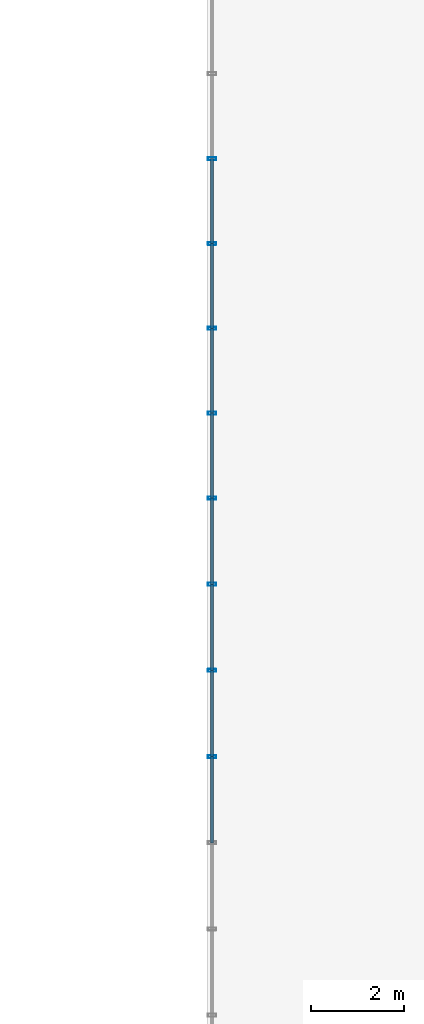
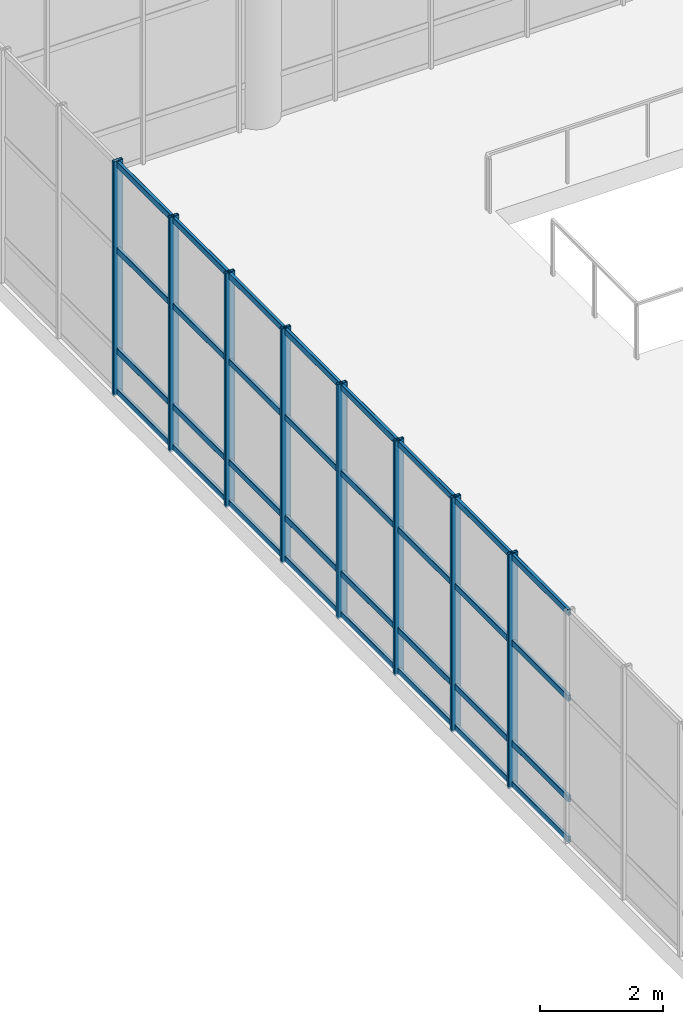
# One storey, part 109 of 176: 40 members, 2 elements without a shape of their own.
"""IFC4 building model written with IfcOpenShell, lengths in metres."""

import ifcopenshell
import ifcopenshell.guid

model = None  # the IFC model being written
_history = None  # IfcOwnerHistory: only IFC2X3 demands one
_inside = {}  # id of a spatial element -> (the spatial element, [elements in it])
_under = {}  # id of a project, library or spatial element -> (it, [spatial elements below it])
_declared = {}  # id of a project -> (the project, [libraries it declares])
_typed = {}  # id of a type object -> (the type object, [elements of that type])
_made_of = {}  # id of a material, layer set ... -> (it, [elements and type objects made of it])


def new_model(schema):
    """Start an empty IFC model of exactly this schema.

    Asked for "IFC4X3", IfcOpenShell would pick the latest addendum, in which some entities
    have other attributes; the version numbers below select the first issue.
    IFC2X3 requires an IfcOwnerHistory on every rooted entity: one is made here for all.
    """
    global model, _history
    if schema == "IFC4X3":
        model = ifcopenshell.file(schema_version=(4, 3, 0, 0))
    else:
        model = ifcopenshell.file(schema=schema)
    _inside.clear()
    _under.clear()
    _declared.clear()
    _typed.clear()
    _made_of.clear()
    _history = None
    if model.schema == "IFC2X3":
        org = make("IfcOrganization", Name="unknown")
        user = make(
            "IfcPersonAndOrganization",
            ThePerson=make("IfcPerson", FamilyName="unknown"),
            TheOrganization=org,
        )
        app = make(
            "IfcApplication",
            ApplicationDeveloper=org,
            Version="unknown",
            ApplicationFullName="unknown",
            ApplicationIdentifier="unknown",
        )
        _history = make(
            "IfcOwnerHistory",
            OwningUser=user,
            OwningApplication=app,
            ChangeAction="ADDED",
            CreationDate=0,
        )
    return model


def make(cls, **values):
    """One entity of the class cls with the attributes given. An attribute that is None is left unset."""
    return model.create_entity(
        cls, **{name: value for name, value in values.items() if value is not None}
    )


def rooted(cls, **values):
    """An entity with a GlobalId (a new one), such as an element, a storey or a relation."""
    return make(cls, GlobalId=ifcopenshell.guid.new(), OwnerHistory=_history, **values)


def si_unit(unit_type, name, prefix=None):
    """IfcSIUnit, for example si_unit("LENGTHUNIT", "METRE", prefix="MILLI")."""
    return make("IfcSIUnit", UnitType=unit_type, Prefix=prefix, Name=name)


def assignment(units):
    """IfcUnitAssignment: the units of a project."""
    return None if units is None else make("IfcUnitAssignment", Units=units)


def point(xyz):
    """IfcCartesianPoint."""
    return None if xyz is None else make("IfcCartesianPoint", Coordinates=xyz)


def direction(xyz):
    """IfcDirection."""
    return None if xyz is None else make("IfcDirection", DirectionRatios=xyz)


def frame(location, z_axis=None, x_axis=None):
    """IfcAxis2Placement3D, a coordinate frame: its origin and axes. An axis left out is left unset."""
    return make(
        "IfcAxis2Placement3D",
        Location=point(location),
        Axis=direction(z_axis),
        RefDirection=direction(x_axis),
    )


def frame_2d(location, x_axis=None):
    """IfcAxis2Placement2D, a coordinate frame in the plane: its origin and x axis."""
    return make(
        "IfcAxis2Placement2D", Location=point(location), RefDirection=direction(x_axis)
    )


def origin():
    """The frame at (0, 0, 0) with its axes left unset."""
    return frame((0.0, 0.0, 0.0))


def origin_2d():
    """The frame at (0, 0) in the plane with its x axis left unset."""
    return frame_2d((0.0, 0.0))


def place(relative_to, where):
    """IfcLocalPlacement: puts the frame where relative to a parent placement (None: the world)."""
    return make(
        "IfcLocalPlacement", PlacementRelTo=relative_to, RelativePlacement=where
    )


def context(
    kind, dimensions, precision=None, world=None, true_north=None, identifier=None
):
    """IfcGeometricRepresentationContext, for example the 3D "Model" context."""
    return make(
        "IfcGeometricRepresentationContext",
        ContextIdentifier=identifier,
        ContextType=kind,
        CoordinateSpaceDimension=dimensions,
        Precision=precision,
        WorldCoordinateSystem=world,
        TrueNorth=true_north,
    )


def subcontext(parent, identifier, kind, view, scale=None):
    """IfcGeometricRepresentationSubContext, for example "Body" below "Model"."""
    return make(
        "IfcGeometricRepresentationSubContext",
        ContextIdentifier=identifier,
        ContextType=kind,
        ParentContext=parent,
        TargetScale=scale,
        TargetView=view,
    )


def project(units=None, contexts=None):
    """IfcProject with its units and contexts."""
    return rooted(
        "IfcProject",
        Name="project",
        RepresentationContexts=contexts,
        UnitsInContext=assignment(units),
    )


def spatial(cls, under=None, at=None, **own):
    """A site, building, storey or space (cls), placed at a placement, below another one or the project."""
    s = rooted(cls, ObjectPlacement=at, **own)
    if under is not None:
        _under.setdefault(under.id(), (under, []))[1].append(s)
    return s


def profile(cls, at=None, kind="AREA", **sizes):
    """A parametric profile (cls). Its sizes go by their IFC names, for example OverallWidth=200.0."""
    return make(cls, ProfileType=kind, Position=at, **sizes)


def hollow_rectangle(**sizes):
    """IfcRectangleHollowProfileDef."""
    return profile("IfcRectangleHollowProfileDef", **sizes)


def extrude(swept, where, along, depth):
    """IfcExtrudedAreaSolid: the profile swept, set in the frame where, extruded along a direction by depth."""
    return make(
        "IfcExtrudedAreaSolid",
        SweptArea=swept,
        Position=where,
        ExtrudedDirection=direction(along),
        Depth=depth,
    )


def shape(context_of_items, identifier, shape_type, items):
    """IfcShapeRepresentation: the items that make up one representation, for example the "Body"."""
    return make(
        "IfcShapeRepresentation",
        ContextOfItems=context_of_items,
        RepresentationIdentifier=identifier,
        RepresentationType=shape_type,
        Items=items,
    )


def material(Name=None, Category=None):
    """IfcMaterial."""
    return make("IfcMaterial", Name=Name, Category=Category)


def layer(
    of_material, thickness, ventilated=None, Name=None, Category=None, Priority=None
):
    """IfcMaterialLayer: one layer of a wall or slab, of a material (None: an air gap)."""
    return make(
        "IfcMaterialLayer",
        Material=of_material,
        LayerThickness=thickness,
        IsVentilated=ventilated,
        Name=Name,
        Category=Category,
        Priority=Priority,
    )


def layer_set(layers, Name=None):
    """IfcMaterialLayerSet."""
    return make("IfcMaterialLayerSet", MaterialLayers=layers, LayerSetName=Name)


def material_profile(
    of_material, cross_section, Name=None, Category=None, Priority=None
):
    """IfcMaterialProfile: a cross section and its material."""
    return make(
        "IfcMaterialProfile",
        Name=Name,
        Material=of_material,
        Profile=cross_section,
        Priority=Priority,
        Category=Category,
    )


def profile_set(profiles, Name=None, composite=None):
    """IfcMaterialProfileSet."""
    return make(
        "IfcMaterialProfileSet",
        Name=Name,
        MaterialProfiles=profiles,
        CompositeProfile=composite,
    )


def made_of(thing, what):
    """Note that an element or type object is made of a material, layer set ...; save() writes the relation."""
    if what is not None:
        _made_of.setdefault(what.id(), (what, []))[1].append(thing)
    return thing


def type_object(cls, material=None, **own):
    """A type object (cls), such as IfcWallType, which elements share."""
    return made_of(rooted(cls, **own), material)


def element(
    cls,
    number,
    at=None,
    inside=None,
    cuts=None,
    type_object=None,
    material=None,
    context=None,
    identifier="Body",
    shape_type=None,
    held_by="IfcProductDefinitionShape",
    body=None,
    shapes=None,
    **own,
):
    """One element of the class cls, such as IfcWall. Its Tag is "e" and its number.

    at: its placement. inside: the storey or other place that contains it. cuts: it is an
    opening in that element (IfcRelVoidsElement). A single representation is given by context,
    identifier, shape_type and body (its items); several are given by shapes. held_by: the class
    of the entity that holds the representations. save() writes the other relations.
    """
    e = rooted(cls, Tag="e%d" % number, ObjectPlacement=at, **own)
    if body is not None:
        shapes = [shape(context, identifier, shape_type, body)]
    if shapes is not None:
        e.Representation = make(held_by, Representations=shapes)
    if inside is not None:
        _inside.setdefault(inside.id(), (inside, []))[1].append(e)
    if cuts is not None:
        rooted(
            "IfcRelVoidsElement", RelatingBuildingElement=cuts, RelatedOpeningElement=e
        )
    if type_object is not None:
        _typed.setdefault(type_object.id(), (type_object, []))[1].append(e)
    return made_of(e, material)


def aggregate(whole, parts):
    """IfcRelAggregates: a whole, such as a stair, and the parts it consists of."""
    return rooted("IfcRelAggregates", RelatingObject=whole, RelatedObjects=parts)


def save(model, path):
    """Write the relations noted so far, then the file.

    IfcRelAggregates (storeys below a building ...), IfcRelContainedInSpatialStructure (elements
    in a storey), IfcRelDefinesByType, IfcRelAssociatesMaterial and IfcRelDeclares: one each for
    every whole, place, type object, material and project.
    """
    for whole, parts in _under.values():
        aggregate(whole, parts)
    for where, things in _inside.values():
        rooted(
            "IfcRelContainedInSpatialStructure",
            RelatedElements=things,
            RelatingStructure=where,
        )
    for kind, things in _typed.values():
        rooted("IfcRelDefinesByType", RelatedObjects=things, RelatingType=kind)
    for what, things in _made_of.values():
        rooted("IfcRelAssociatesMaterial", RelatedObjects=things, RelatingMaterial=what)
    for by, libraries in _declared.values():
        rooted("IfcRelDeclares", RelatingContext=by, RelatedDefinitions=libraries)
    model.write(path)


model = new_model("IFC4")

# Units and contexts
model_context = context("Model", 3, precision=1e-05, world=origin(), true_north=direction((0.0, 1.0)))
body_context = subcontext(model_context, "Body", "Model", "MODEL_VIEW")
ifc_project = project(units=[si_unit("LENGTHUNIT", "METRE"), si_unit("AREAUNIT", "SQUARE_METRE"), si_unit("VOLUMEUNIT", "CUBIC_METRE"), si_unit("PLANEANGLEUNIT", "RADIAN"), si_unit("MASSUNIT", "GRAM", prefix="KILO")], contexts=[model_context])

# Site, building, storey
site_placement = place(None, origin())
site = spatial("IfcSite", under=ifc_project, at=site_placement, CompositionType="ELEMENT")
building_placement = place(site_placement, origin())
building = spatial("IfcBuilding", under=site, at=building_placement, Name="Khorjan Park Terminus", CompositionType="ELEMENT")
storey_placement = place(building_placement, frame((0.0, 0.0, 6.0)))
storey = spatial("IfcBuildingStorey", under=building, at=storey_placement, Name="L01", CompositionType="ELEMENT", Elevation=6.0)

# Curtain wall, members
ifc_material = material(Name="Anodized Bronze Aluminium", Category="aluminium")
ifc_layer = layer(ifc_material, 0.22)
ifc_layer_set = layer_set([ifc_layer], Name="Anodized Bronze Aluminium")
curtain_wall_type = type_object("IfcCurtainWallType", Name="CW-BRG-D", PredefinedType="NOTDEFINED", material=ifc_layer_set)
curtain_wall_1_placement = place(storey_placement, origin())
curtain_wall_1 = element("IfcCurtainWall", 1, at=curtain_wall_1_placement, inside=storey, type_object=curtain_wall_type, Name="Unitized curtain wall CW-D (CW-BRE-W-3)", PredefinedType="NOTDEFINED")
ifc_material_profile_1 = material_profile(ifc_material, hollow_rectangle(XDim=0.065, YDim=0.18, WallThickness=0.004, InnerFilletRadius=0.004, OuterFilletRadius=0.008, at=origin_2d()), Name="ALM 65x180x4")
ifc_profile_set_1 = profile_set([ifc_material_profile_1], Name="Anodized Bronze Aluminium")
member_type_1 = type_object("IfcMemberType", Name="ML-ALM-180", PredefinedType="MULLION", material=ifc_profile_set_1)
member_1_placement = place(storey_placement, frame((98.1, 141.0, -0.035), z_axis=(0.0, 0.0, 1.0), x_axis=(0.0, -1.0, 0.0)))
member_1 = element("IfcMember", 2, at=member_1_placement, type_object=member_type_1, Name="Curtain-wall mullion ML-18 (CW-BRE-W-3-0)", PredefinedType="MULLION", context=body_context, shape_type="SweptSolid", body=[
    extrude(hollow_rectangle(XDim=0.065, YDim=0.18, WallThickness=0.004, InnerFilletRadius=0.004, OuterFilletRadius=0.008, at=origin_2d()), origin(), (0.0, 0.0, 1.0), 4.67),
])
member_2_placement = place(storey_placement, frame((98.1, 139.1429, -0.035), z_axis=(0.0, 0.0, 1.0), x_axis=(0.0, -1.0, 0.0)))
member_2 = element("IfcMember", 3, at=member_2_placement, type_object=member_type_1, Name="Curtain-wall mullion ML-18 (CW-BRE-W-3-1)", PredefinedType="MULLION", context=body_context, shape_type="SweptSolid", body=[
    extrude(hollow_rectangle(XDim=0.065, YDim=0.18, WallThickness=0.004, InnerFilletRadius=0.004, OuterFilletRadius=0.008, at=origin_2d()), origin(), (0.0, 0.0, 1.0), 4.67),
])
member_3_placement = place(storey_placement, frame((98.1, 137.2857, -0.035), z_axis=(0.0, 0.0, 1.0), x_axis=(0.0, -1.0, 0.0)))
member_3 = element("IfcMember", 4, at=member_3_placement, type_object=member_type_1, Name="Curtain-wall mullion ML-18 (CW-BRE-W-3-2)", PredefinedType="MULLION", context=body_context, shape_type="SweptSolid", body=[
    extrude(hollow_rectangle(XDim=0.065, YDim=0.18, WallThickness=0.004, InnerFilletRadius=0.004, OuterFilletRadius=0.008, at=origin_2d()), origin(), (0.0, 0.0, 1.0), 4.67),
])
member_4_placement = place(storey_placement, frame((98.1, 135.4286, -0.035), z_axis=(0.0, 0.0, 1.0), x_axis=(0.0, -1.0, 0.0)))
member_4 = element("IfcMember", 5, at=member_4_placement, type_object=member_type_1, Name="Curtain-wall mullion ML-18 (CW-BRE-W-3-3)", PredefinedType="MULLION", context=body_context, shape_type="SweptSolid", body=[
    extrude(hollow_rectangle(XDim=0.065, YDim=0.18, WallThickness=0.004, InnerFilletRadius=0.004, OuterFilletRadius=0.008, at=origin_2d()), origin(), (0.0, 0.0, 1.0), 4.67),
])

curtain_wall_2_placement = place(storey_placement, origin())
curtain_wall_2 = element("IfcCurtainWall", 6, at=curtain_wall_2_placement, inside=storey, type_object=curtain_wall_type, Name="Unitized curtain wall CW-D (CW-BRE-W-4)", PredefinedType="NOTDEFINED")
member_5_placement = place(storey_placement, frame((98.1, 148.3143, -0.035), z_axis=(0.0, 0.0, 1.0), x_axis=(0.0, -1.0, 0.0)))
member_5 = element("IfcMember", 7, at=member_5_placement, type_object=member_type_1, Name="Curtain-wall mullion ML-18 (CW-BRE-W-4-3)", PredefinedType="MULLION", context=body_context, shape_type="SweptSolid", body=[
    extrude(hollow_rectangle(XDim=0.065, YDim=0.18, WallThickness=0.004, InnerFilletRadius=0.004, OuterFilletRadius=0.008, at=origin_2d()), origin(), (0.0, 0.0, 1.0), 4.67),
])
member_6_placement = place(storey_placement, frame((98.1, 146.4857, -0.035), z_axis=(0.0, 0.0, 1.0), x_axis=(0.0, -1.0, 0.0)))
member_6 = element("IfcMember", 8, at=member_6_placement, type_object=member_type_1, Name="Curtain-wall mullion ML-18 (CW-BRE-W-4-4)", PredefinedType="MULLION", context=body_context, shape_type="SweptSolid", body=[
    extrude(hollow_rectangle(XDim=0.065, YDim=0.18, WallThickness=0.004, InnerFilletRadius=0.004, OuterFilletRadius=0.008, at=origin_2d()), origin(), (0.0, 0.0, 1.0), 4.67),
])
member_7_placement = place(storey_placement, frame((98.1, 144.6571, -0.035), z_axis=(0.0, 0.0, 1.0), x_axis=(0.0, -1.0, 0.0)))
member_7 = element("IfcMember", 9, at=member_7_placement, type_object=member_type_1, Name="Curtain-wall mullion ML-18 (CW-BRE-W-4-5)", PredefinedType="MULLION", context=body_context, shape_type="SweptSolid", body=[
    extrude(hollow_rectangle(XDim=0.065, YDim=0.18, WallThickness=0.004, InnerFilletRadius=0.004, OuterFilletRadius=0.008, at=origin_2d()), origin(), (0.0, 0.0, 1.0), 4.67),
])
member_8_placement = place(storey_placement, frame((98.1, 142.8286, -0.035), z_axis=(0.0, 0.0, 1.0), x_axis=(0.0, -1.0, 0.0)))
member_8 = element("IfcMember", 10, at=member_8_placement, type_object=member_type_1, Name="Curtain-wall mullion ML-18 (CW-BRE-W-4-6)", PredefinedType="MULLION", context=body_context, shape_type="SweptSolid", body=[
    extrude(hollow_rectangle(XDim=0.065, YDim=0.18, WallThickness=0.004, InnerFilletRadius=0.004, OuterFilletRadius=0.008, at=origin_2d()), origin(), (0.0, 0.0, 1.0), 4.67),
])

# Member
ifc_material_profile_2 = material_profile(ifc_material, hollow_rectangle(XDim=0.06, YDim=0.12, WallThickness=0.004, InnerFilletRadius=0.004, OuterFilletRadius=0.008, at=origin_2d()), Name="ALT 60x120x4")
ifc_profile_set_2 = profile_set([ifc_material_profile_2], Name="Anodized Bronze Aluminium")
member_type_2 = type_object("IfcMemberType", Name="TR-ALT-120", PredefinedType="USERDEFINED", material=ifc_profile_set_2)
member_9_placement = place(storey_placement, frame((98.1, 141.0, 0.04), z_axis=(0.0, -1.0, 0.0), x_axis=(1.0, 0.0, 0.0)))
member_9 = element("IfcMember", 11, at=member_9_placement, type_object=member_type_2, Name="Curtain-wall transom TR-12 (CW-BRE-W-3-0-1)", ObjectType="TRANSOM", PredefinedType="USERDEFINED", context=body_context, shape_type="SweptSolid", body=[
    extrude(hollow_rectangle(XDim=0.06, YDim=0.12, WallThickness=0.004, InnerFilletRadius=0.004, OuterFilletRadius=0.008, at=origin_2d()), origin(), (0.0, 0.0, 1.0), 1.8571),
])

member_10_placement = place(storey_placement, frame((98.1, 141.0, 0.85), z_axis=(0.0, -1.0, 0.0), x_axis=(1.0, 0.0, 0.0)))
member_10 = element("IfcMember", 12, at=member_10_placement, type_object=member_type_2, Name="Curtain-wall transom TR-12 (CW-BRE-W-3-0-2)", ObjectType="TRANSOM", PredefinedType="USERDEFINED", context=body_context, shape_type="SweptSolid", body=[
    extrude(hollow_rectangle(XDim=0.06, YDim=0.12, WallThickness=0.004, InnerFilletRadius=0.004, OuterFilletRadius=0.008, at=origin_2d()), origin(), (0.0, 0.0, 1.0), 1.8571),
])

member_11_placement = place(storey_placement, frame((98.1, 141.0, 2.852), z_axis=(0.0, -1.0, 0.0), x_axis=(1.0, 0.0, 0.0)))
member_11 = element("IfcMember", 13, at=member_11_placement, type_object=member_type_2, Name="Curtain-wall transom TR-12 (CW-BRE-W-3-0-3)", ObjectType="TRANSOM", PredefinedType="USERDEFINED", context=body_context, shape_type="SweptSolid", body=[
    extrude(hollow_rectangle(XDim=0.06, YDim=0.12, WallThickness=0.004, InnerFilletRadius=0.004, OuterFilletRadius=0.008, at=origin_2d()), origin(), (0.0, 0.0, 1.0), 1.8571),
])

member_12_placement = place(storey_placement, frame((98.1, 141.0, 4.56), z_axis=(0.0, -1.0, 0.0), x_axis=(1.0, 0.0, 0.0)))
member_12 = element("IfcMember", 14, at=member_12_placement, type_object=member_type_2, Name="Curtain-wall transom TR-12 (CW-BRE-W-3-0-4)", ObjectType="TRANSOM", PredefinedType="USERDEFINED", context=body_context, shape_type="SweptSolid", body=[
    extrude(hollow_rectangle(XDim=0.06, YDim=0.12, WallThickness=0.004, InnerFilletRadius=0.004, OuterFilletRadius=0.008, at=origin_2d()), origin(), (0.0, 0.0, 1.0), 1.8571),
])

member_13_placement = place(storey_placement, frame((98.1, 139.1429, 0.04), z_axis=(0.0, -1.0, 0.0), x_axis=(1.0, 0.0, 0.0)))
member_13 = element("IfcMember", 15, at=member_13_placement, type_object=member_type_2, Name="Curtain-wall transom TR-12 (CW-BRE-W-3-1-1)", ObjectType="TRANSOM", PredefinedType="USERDEFINED", context=body_context, shape_type="SweptSolid", body=[
    extrude(hollow_rectangle(XDim=0.06, YDim=0.12, WallThickness=0.004, InnerFilletRadius=0.004, OuterFilletRadius=0.008, at=origin_2d()), origin(), (0.0, 0.0, 1.0), 1.8572),
])

member_14_placement = place(storey_placement, frame((98.1, 139.1429, 0.85), z_axis=(0.0, -1.0, 0.0), x_axis=(1.0, 0.0, 0.0)))
member_14 = element("IfcMember", 16, at=member_14_placement, type_object=member_type_2, Name="Curtain-wall transom TR-12 (CW-BRE-W-3-1-2)", ObjectType="TRANSOM", PredefinedType="USERDEFINED", context=body_context, shape_type="SweptSolid", body=[
    extrude(hollow_rectangle(XDim=0.06, YDim=0.12, WallThickness=0.004, InnerFilletRadius=0.004, OuterFilletRadius=0.008, at=origin_2d()), origin(), (0.0, 0.0, 1.0), 1.8572),
])

member_15_placement = place(storey_placement, frame((98.1, 139.1429, 2.852), z_axis=(0.0, -1.0, 0.0), x_axis=(1.0, 0.0, 0.0)))
member_15 = element("IfcMember", 17, at=member_15_placement, type_object=member_type_2, Name="Curtain-wall transom TR-12 (CW-BRE-W-3-1-3)", ObjectType="TRANSOM", PredefinedType="USERDEFINED", context=body_context, shape_type="SweptSolid", body=[
    extrude(hollow_rectangle(XDim=0.06, YDim=0.12, WallThickness=0.004, InnerFilletRadius=0.004, OuterFilletRadius=0.008, at=origin_2d()), origin(), (0.0, 0.0, 1.0), 1.8572),
])

member_16_placement = place(storey_placement, frame((98.1, 139.1429, 4.56), z_axis=(0.0, -1.0, 0.0), x_axis=(1.0, 0.0, 0.0)))
member_16 = element("IfcMember", 18, at=member_16_placement, type_object=member_type_2, Name="Curtain-wall transom TR-12 (CW-BRE-W-3-1-4)", ObjectType="TRANSOM", PredefinedType="USERDEFINED", context=body_context, shape_type="SweptSolid", body=[
    extrude(hollow_rectangle(XDim=0.06, YDim=0.12, WallThickness=0.004, InnerFilletRadius=0.004, OuterFilletRadius=0.008, at=origin_2d()), origin(), (0.0, 0.0, 1.0), 1.8572),
])

member_17_placement = place(storey_placement, frame((98.1, 137.2857, 0.04), z_axis=(0.0, -1.0, 0.0), x_axis=(1.0, 0.0, 0.0)))
member_17 = element("IfcMember", 19, at=member_17_placement, type_object=member_type_2, Name="Curtain-wall transom TR-12 (CW-BRE-W-3-2-1)", ObjectType="TRANSOM", PredefinedType="USERDEFINED", context=body_context, shape_type="SweptSolid", body=[
    extrude(hollow_rectangle(XDim=0.06, YDim=0.12, WallThickness=0.004, InnerFilletRadius=0.004, OuterFilletRadius=0.008, at=origin_2d()), origin(), (0.0, 0.0, 1.0), 1.8571),
])

member_18_placement = place(storey_placement, frame((98.1, 137.2857, 0.85), z_axis=(0.0, -1.0, 0.0), x_axis=(1.0, 0.0, 0.0)))
member_18 = element("IfcMember", 20, at=member_18_placement, type_object=member_type_2, Name="Curtain-wall transom TR-12 (CW-BRE-W-3-2-2)", ObjectType="TRANSOM", PredefinedType="USERDEFINED", context=body_context, shape_type="SweptSolid", body=[
    extrude(hollow_rectangle(XDim=0.06, YDim=0.12, WallThickness=0.004, InnerFilletRadius=0.004, OuterFilletRadius=0.008, at=origin_2d()), origin(), (0.0, 0.0, 1.0), 1.8571),
])

member_19_placement = place(storey_placement, frame((98.1, 137.2857, 2.852), z_axis=(0.0, -1.0, 0.0), x_axis=(1.0, 0.0, 0.0)))
member_19 = element("IfcMember", 21, at=member_19_placement, type_object=member_type_2, Name="Curtain-wall transom TR-12 (CW-BRE-W-3-2-3)", ObjectType="TRANSOM", PredefinedType="USERDEFINED", context=body_context, shape_type="SweptSolid", body=[
    extrude(hollow_rectangle(XDim=0.06, YDim=0.12, WallThickness=0.004, InnerFilletRadius=0.004, OuterFilletRadius=0.008, at=origin_2d()), origin(), (0.0, 0.0, 1.0), 1.8571),
])

member_20_placement = place(storey_placement, frame((98.1, 137.2857, 4.56), z_axis=(0.0, -1.0, 0.0), x_axis=(1.0, 0.0, 0.0)))
member_20 = element("IfcMember", 22, at=member_20_placement, type_object=member_type_2, Name="Curtain-wall transom TR-12 (CW-BRE-W-3-2-4)", ObjectType="TRANSOM", PredefinedType="USERDEFINED", context=body_context, shape_type="SweptSolid", body=[
    extrude(hollow_rectangle(XDim=0.06, YDim=0.12, WallThickness=0.004, InnerFilletRadius=0.004, OuterFilletRadius=0.008, at=origin_2d()), origin(), (0.0, 0.0, 1.0), 1.8571),
])

member_21_placement = place(storey_placement, frame((98.1, 135.4286, 0.04), z_axis=(0.0, -1.0, 0.0), x_axis=(1.0, 0.0, 0.0)))
member_21 = element("IfcMember", 23, at=member_21_placement, type_object=member_type_2, Name="Curtain-wall transom TR-12 (CW-BRE-W-3-3-1)", ObjectType="TRANSOM", PredefinedType="USERDEFINED", context=body_context, shape_type="SweptSolid", body=[
    extrude(hollow_rectangle(XDim=0.06, YDim=0.12, WallThickness=0.004, InnerFilletRadius=0.004, OuterFilletRadius=0.008, at=origin_2d()), origin(), (0.0, 0.0, 1.0), 1.8572),
])

member_22_placement = place(storey_placement, frame((98.1, 135.4286, 0.85), z_axis=(0.0, -1.0, 0.0), x_axis=(1.0, 0.0, 0.0)))
member_22 = element("IfcMember", 24, at=member_22_placement, type_object=member_type_2, Name="Curtain-wall transom TR-12 (CW-BRE-W-3-3-2)", ObjectType="TRANSOM", PredefinedType="USERDEFINED", context=body_context, shape_type="SweptSolid", body=[
    extrude(hollow_rectangle(XDim=0.06, YDim=0.12, WallThickness=0.004, InnerFilletRadius=0.004, OuterFilletRadius=0.008, at=origin_2d()), origin(), (0.0, 0.0, 1.0), 1.8572),
])

member_23_placement = place(storey_placement, frame((98.1, 135.4286, 2.852), z_axis=(0.0, -1.0, 0.0), x_axis=(1.0, 0.0, 0.0)))
member_23 = element("IfcMember", 25, at=member_23_placement, type_object=member_type_2, Name="Curtain-wall transom TR-12 (CW-BRE-W-3-3-3)", ObjectType="TRANSOM", PredefinedType="USERDEFINED", context=body_context, shape_type="SweptSolid", body=[
    extrude(hollow_rectangle(XDim=0.06, YDim=0.12, WallThickness=0.004, InnerFilletRadius=0.004, OuterFilletRadius=0.008, at=origin_2d()), origin(), (0.0, 0.0, 1.0), 1.8572),
])

member_24_placement = place(storey_placement, frame((98.1, 135.4286, 4.56), z_axis=(0.0, -1.0, 0.0), x_axis=(1.0, 0.0, 0.0)))
member_24 = element("IfcMember", 26, at=member_24_placement, type_object=member_type_2, Name="Curtain-wall transom TR-12 (CW-BRE-W-3-3-4)", ObjectType="TRANSOM", PredefinedType="USERDEFINED", context=body_context, shape_type="SweptSolid", body=[
    extrude(hollow_rectangle(XDim=0.06, YDim=0.12, WallThickness=0.004, InnerFilletRadius=0.004, OuterFilletRadius=0.008, at=origin_2d()), origin(), (0.0, 0.0, 1.0), 1.8572),
])

aggregate(curtain_wall_1, [member_1, member_2, member_3, member_4, member_9, member_10, member_11, member_12, member_13, member_14, member_15, member_16, member_17, member_18, member_19, member_20, member_21, member_22, member_23, member_24])

member_25_placement = place(storey_placement, frame((98.1, 148.3143, 0.04), z_axis=(0.0, -1.0, 0.0), x_axis=(1.0, 0.0, 0.0)))
member_25 = element("IfcMember", 27, at=member_25_placement, type_object=member_type_2, Name="Curtain-wall transom TR-12 (CW-BRE-W-4-3-1)", ObjectType="TRANSOM", PredefinedType="USERDEFINED", context=body_context, shape_type="SweptSolid", body=[
    extrude(hollow_rectangle(XDim=0.06, YDim=0.12, WallThickness=0.004, InnerFilletRadius=0.004, OuterFilletRadius=0.008, at=origin_2d()), origin(), (0.0, 0.0, 1.0), 1.8286),
])

member_26_placement = place(storey_placement, frame((98.1, 148.3143, 0.85), z_axis=(0.0, -1.0, 0.0), x_axis=(1.0, 0.0, 0.0)))
member_26 = element("IfcMember", 28, at=member_26_placement, type_object=member_type_2, Name="Curtain-wall transom TR-12 (CW-BRE-W-4-3-2)", ObjectType="TRANSOM", PredefinedType="USERDEFINED", context=body_context, shape_type="SweptSolid", body=[
    extrude(hollow_rectangle(XDim=0.06, YDim=0.12, WallThickness=0.004, InnerFilletRadius=0.004, OuterFilletRadius=0.008, at=origin_2d()), origin(), (0.0, 0.0, 1.0), 1.8286),
])

member_27_placement = place(storey_placement, frame((98.1, 148.3143, 2.852), z_axis=(0.0, -1.0, 0.0), x_axis=(1.0, 0.0, 0.0)))
member_27 = element("IfcMember", 29, at=member_27_placement, type_object=member_type_2, Name="Curtain-wall transom TR-12 (CW-BRE-W-4-3-3)", ObjectType="TRANSOM", PredefinedType="USERDEFINED", context=body_context, shape_type="SweptSolid", body=[
    extrude(hollow_rectangle(XDim=0.06, YDim=0.12, WallThickness=0.004, InnerFilletRadius=0.004, OuterFilletRadius=0.008, at=origin_2d()), origin(), (0.0, 0.0, 1.0), 1.8286),
])

member_28_placement = place(storey_placement, frame((98.1, 148.3143, 4.56), z_axis=(0.0, -1.0, 0.0), x_axis=(1.0, 0.0, 0.0)))
member_28 = element("IfcMember", 30, at=member_28_placement, type_object=member_type_2, Name="Curtain-wall transom TR-12 (CW-BRE-W-4-3-4)", ObjectType="TRANSOM", PredefinedType="USERDEFINED", context=body_context, shape_type="SweptSolid", body=[
    extrude(hollow_rectangle(XDim=0.06, YDim=0.12, WallThickness=0.004, InnerFilletRadius=0.004, OuterFilletRadius=0.008, at=origin_2d()), origin(), (0.0, 0.0, 1.0), 1.8286),
])

member_29_placement = place(storey_placement, frame((98.1, 146.4857, 0.04), z_axis=(0.0, -1.0, 0.0), x_axis=(1.0, 0.0, 0.0)))
member_29 = element("IfcMember", 31, at=member_29_placement, type_object=member_type_2, Name="Curtain-wall transom TR-12 (CW-BRE-W-4-4-1)", ObjectType="TRANSOM", PredefinedType="USERDEFINED", context=body_context, shape_type="SweptSolid", body=[
    extrude(hollow_rectangle(XDim=0.06, YDim=0.12, WallThickness=0.004, InnerFilletRadius=0.004, OuterFilletRadius=0.008, at=origin_2d()), origin(), (0.0, 0.0, 1.0), 1.8286),
])

member_30_placement = place(storey_placement, frame((98.1, 146.4857, 0.85), z_axis=(0.0, -1.0, 0.0), x_axis=(1.0, 0.0, 0.0)))
member_30 = element("IfcMember", 32, at=member_30_placement, type_object=member_type_2, Name="Curtain-wall transom TR-12 (CW-BRE-W-4-4-2)", ObjectType="TRANSOM", PredefinedType="USERDEFINED", context=body_context, shape_type="SweptSolid", body=[
    extrude(hollow_rectangle(XDim=0.06, YDim=0.12, WallThickness=0.004, InnerFilletRadius=0.004, OuterFilletRadius=0.008, at=origin_2d()), origin(), (0.0, 0.0, 1.0), 1.8286),
])

member_31_placement = place(storey_placement, frame((98.1, 146.4857, 2.852), z_axis=(0.0, -1.0, 0.0), x_axis=(1.0, 0.0, 0.0)))
member_31 = element("IfcMember", 33, at=member_31_placement, type_object=member_type_2, Name="Curtain-wall transom TR-12 (CW-BRE-W-4-4-3)", ObjectType="TRANSOM", PredefinedType="USERDEFINED", context=body_context, shape_type="SweptSolid", body=[
    extrude(hollow_rectangle(XDim=0.06, YDim=0.12, WallThickness=0.004, InnerFilletRadius=0.004, OuterFilletRadius=0.008, at=origin_2d()), origin(), (0.0, 0.0, 1.0), 1.8286),
])

member_32_placement = place(storey_placement, frame((98.1, 146.4857, 4.56), z_axis=(0.0, -1.0, 0.0), x_axis=(1.0, 0.0, 0.0)))
member_32 = element("IfcMember", 34, at=member_32_placement, type_object=member_type_2, Name="Curtain-wall transom TR-12 (CW-BRE-W-4-4-4)", ObjectType="TRANSOM", PredefinedType="USERDEFINED", context=body_context, shape_type="SweptSolid", body=[
    extrude(hollow_rectangle(XDim=0.06, YDim=0.12, WallThickness=0.004, InnerFilletRadius=0.004, OuterFilletRadius=0.008, at=origin_2d()), origin(), (0.0, 0.0, 1.0), 1.8286),
])

member_33_placement = place(storey_placement, frame((98.1, 144.6571, 0.04), z_axis=(0.0, -1.0, 0.0), x_axis=(1.0, 0.0, 0.0)))
member_33 = element("IfcMember", 35, at=member_33_placement, type_object=member_type_2, Name="Curtain-wall transom TR-12 (CW-BRE-W-4-5-1)", ObjectType="TRANSOM", PredefinedType="USERDEFINED", context=body_context, shape_type="SweptSolid", body=[
    extrude(hollow_rectangle(XDim=0.06, YDim=0.12, WallThickness=0.004, InnerFilletRadius=0.004, OuterFilletRadius=0.008, at=origin_2d()), origin(), (0.0, 0.0, 1.0), 1.8285),
])

member_34_placement = place(storey_placement, frame((98.1, 144.6571, 0.85), z_axis=(0.0, -1.0, 0.0), x_axis=(1.0, 0.0, 0.0)))
member_34 = element("IfcMember", 36, at=member_34_placement, type_object=member_type_2, Name="Curtain-wall transom TR-12 (CW-BRE-W-4-5-2)", ObjectType="TRANSOM", PredefinedType="USERDEFINED", context=body_context, shape_type="SweptSolid", body=[
    extrude(hollow_rectangle(XDim=0.06, YDim=0.12, WallThickness=0.004, InnerFilletRadius=0.004, OuterFilletRadius=0.008, at=origin_2d()), origin(), (0.0, 0.0, 1.0), 1.8285),
])

member_35_placement = place(storey_placement, frame((98.1, 144.6571, 2.852), z_axis=(0.0, -1.0, 0.0), x_axis=(1.0, 0.0, 0.0)))
member_35 = element("IfcMember", 37, at=member_35_placement, type_object=member_type_2, Name="Curtain-wall transom TR-12 (CW-BRE-W-4-5-3)", ObjectType="TRANSOM", PredefinedType="USERDEFINED", context=body_context, shape_type="SweptSolid", body=[
    extrude(hollow_rectangle(XDim=0.06, YDim=0.12, WallThickness=0.004, InnerFilletRadius=0.004, OuterFilletRadius=0.008, at=origin_2d()), origin(), (0.0, 0.0, 1.0), 1.8285),
])

member_36_placement = place(storey_placement, frame((98.1, 144.6571, 4.56), z_axis=(0.0, -1.0, 0.0), x_axis=(1.0, 0.0, 0.0)))
member_36 = element("IfcMember", 38, at=member_36_placement, type_object=member_type_2, Name="Curtain-wall transom TR-12 (CW-BRE-W-4-5-4)", ObjectType="TRANSOM", PredefinedType="USERDEFINED", context=body_context, shape_type="SweptSolid", body=[
    extrude(hollow_rectangle(XDim=0.06, YDim=0.12, WallThickness=0.004, InnerFilletRadius=0.004, OuterFilletRadius=0.008, at=origin_2d()), origin(), (0.0, 0.0, 1.0), 1.8285),
])

member_37_placement = place(storey_placement, frame((98.1, 142.8286, 0.04), z_axis=(0.0, -1.0, 0.0), x_axis=(1.0, 0.0, 0.0)))
member_37 = element("IfcMember", 39, at=member_37_placement, type_object=member_type_2, Name="Curtain-wall transom TR-12 (CW-BRE-W-4-6-1)", ObjectType="TRANSOM", PredefinedType="USERDEFINED", context=body_context, shape_type="SweptSolid", body=[
    extrude(hollow_rectangle(XDim=0.06, YDim=0.12, WallThickness=0.004, InnerFilletRadius=0.004, OuterFilletRadius=0.008, at=origin_2d()), origin(), (0.0, 0.0, 1.0), 1.8286),
])

member_38_placement = place(storey_placement, frame((98.1, 142.8286, 0.85), z_axis=(0.0, -1.0, 0.0), x_axis=(1.0, 0.0, 0.0)))
member_38 = element("IfcMember", 40, at=member_38_placement, type_object=member_type_2, Name="Curtain-wall transom TR-12 (CW-BRE-W-4-6-2)", ObjectType="TRANSOM", PredefinedType="USERDEFINED", context=body_context, shape_type="SweptSolid", body=[
    extrude(hollow_rectangle(XDim=0.06, YDim=0.12, WallThickness=0.004, InnerFilletRadius=0.004, OuterFilletRadius=0.008, at=origin_2d()), origin(), (0.0, 0.0, 1.0), 1.8286),
])

member_39_placement = place(storey_placement, frame((98.1, 142.8286, 2.852), z_axis=(0.0, -1.0, 0.0), x_axis=(1.0, 0.0, 0.0)))
member_39 = element("IfcMember", 41, at=member_39_placement, type_object=member_type_2, Name="Curtain-wall transom TR-12 (CW-BRE-W-4-6-3)", ObjectType="TRANSOM", PredefinedType="USERDEFINED", context=body_context, shape_type="SweptSolid", body=[
    extrude(hollow_rectangle(XDim=0.06, YDim=0.12, WallThickness=0.004, InnerFilletRadius=0.004, OuterFilletRadius=0.008, at=origin_2d()), origin(), (0.0, 0.0, 1.0), 1.8286),
])

member_40_placement = place(storey_placement, frame((98.1, 142.8286, 4.56), z_axis=(0.0, -1.0, 0.0), x_axis=(1.0, 0.0, 0.0)))
member_40 = element("IfcMember", 42, at=member_40_placement, type_object=member_type_2, Name="Curtain-wall transom TR-12 (CW-BRE-W-4-6-4)", ObjectType="TRANSOM", PredefinedType="USERDEFINED", context=body_context, shape_type="SweptSolid", body=[
    extrude(hollow_rectangle(XDim=0.06, YDim=0.12, WallThickness=0.004, InnerFilletRadius=0.004, OuterFilletRadius=0.008, at=origin_2d()), origin(), (0.0, 0.0, 1.0), 1.8286),
])

aggregate(curtain_wall_2, [member_5, member_6, member_7, member_8, member_25, member_26, member_27, member_28, member_29, member_30, member_31, member_32, member_33, member_34, member_35, member_36, member_37, member_38, member_39, member_40])

save(model, "model.ifc")
